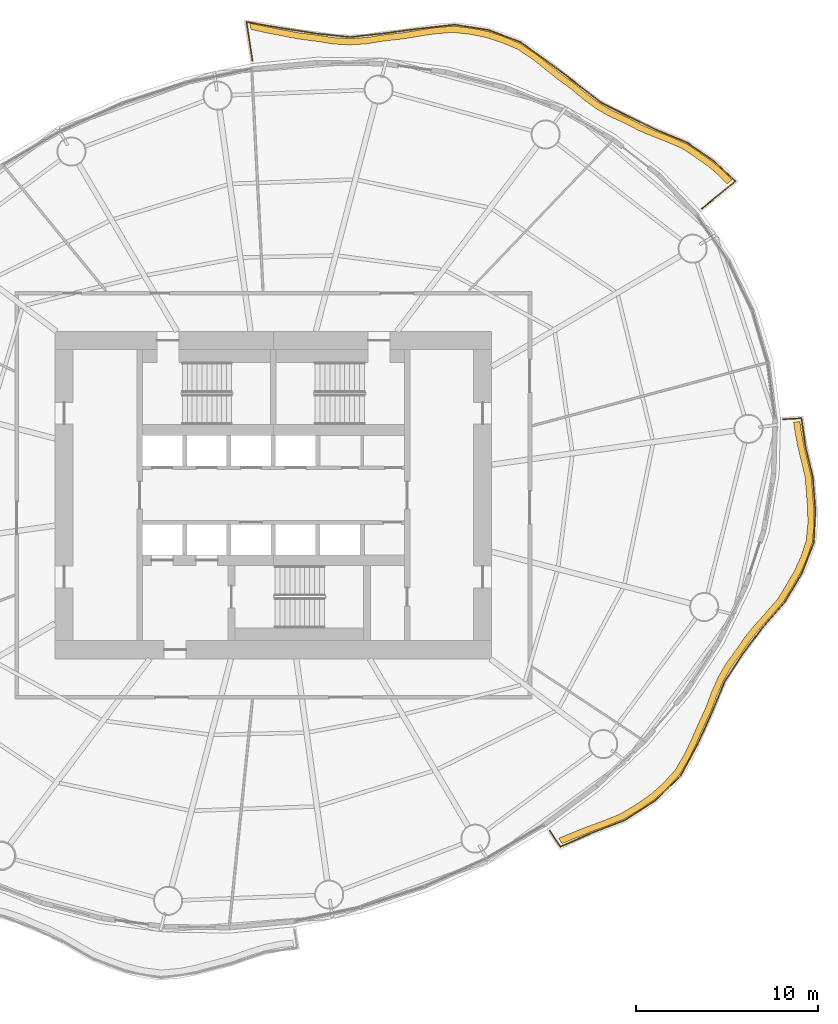
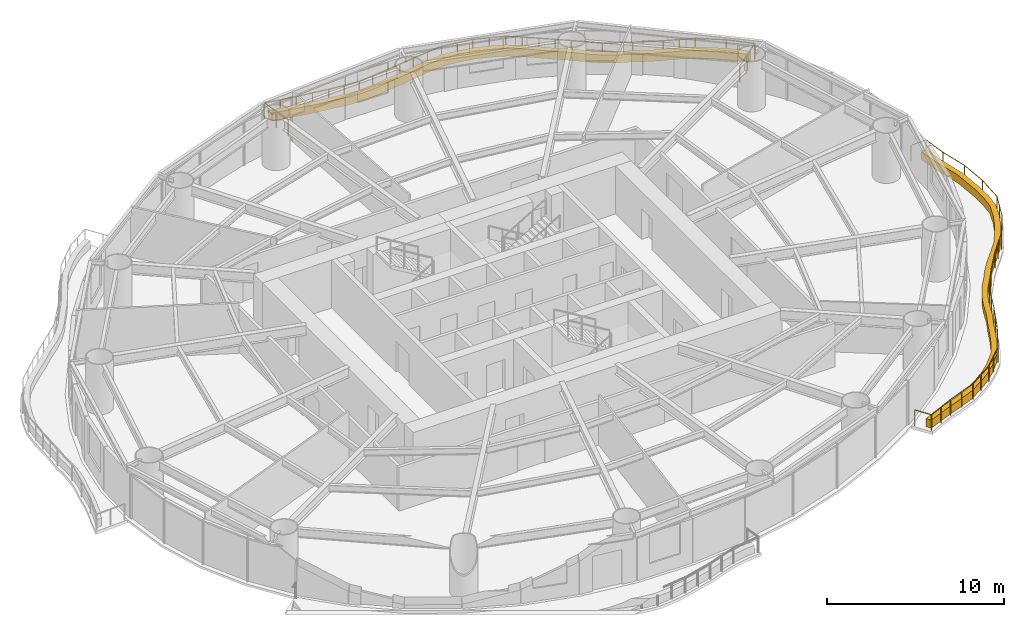
# One storey, part 14 of 14: 2 coverings, 2 railings.
"""IFC4 building model written with IfcOpenShell, lengths in metres."""

from ifc_helpers import new_model, si_unit, direction, frame, origin, origin_2d, place, context, subcontext, project, spatial, polyline, circle, outline, extrude, material, type_object, element, save


model = new_model("IFC4")

# Units and contexts
model_context = context("Model", 3, precision=1e-05, world=origin(), true_north=direction((0.0, 1.0)))
body_context = subcontext(model_context, "Body", "Model", "MODEL_VIEW")
ifc_project = project(units=[si_unit("LENGTHUNIT", "METRE"), si_unit("AREAUNIT", "SQUARE_METRE"), si_unit("VOLUMEUNIT", "CUBIC_METRE"), si_unit("PLANEANGLEUNIT", "RADIAN"), si_unit("MASSUNIT", "GRAM", prefix="KILO")], contexts=[model_context])

# Site, building, storey
site_placement = place(None, origin())
site = spatial("IfcSite", under=ifc_project, at=site_placement, CompositionType="ELEMENT")
building_placement = place(site_placement, origin())
building = spatial("IfcBuilding", under=site, at=building_placement, Name="Vermilion Reach Broadcast Tower", CompositionType="ELEMENT")
storey_placement = place(building_placement, frame((0.0, 0.0, 117.39990234375)))
storey = spatial("IfcBuildingStorey", under=building, at=storey_placement, Name="L27", CompositionType="ELEMENT", Elevation=117.39990234375)

# Coverings
ifc_material_1 = material(Name="Planting soil and greenery")
covering_type = type_object("IfcCoveringType", Name="Balcony PLANTER", PredefinedType="USERDEFINED", material=ifc_material_1)
placement = place(storey_placement, origin())
element("IfcCovering", 1, at=placement, inside=storey, type_object=covering_type, Name="PLANTER L27 group 1", ObjectType="PLANTER", PredefinedType="USERDEFINED", context=body_context, shape_type="SweptSolid", body=[
    extrude(outline(polyline([(19.206298828125, 17.331787109375), (18.73779296875, 17.81396484375), (18.1357421875, 18.322265625), (17.4833984375, 18.782470703125), (16.69140625, 19.31494140625), (15.79541015625, 19.707275390625), (15.016845703125, 20.0087890625), (14.255859375, 20.333251953125), (13.464111328125, 20.750732421875), (12.638916015625, 21.123291015625), (11.92822265625, 21.53173828125), (11.260498046875, 22.015869140625), (10.552978515625, 22.6103515625), (9.77392578125, 23.167724609375), (9.08837890625, 23.717529296875), (8.400146484375, 24.261474609375), (7.563232421875, 24.8232421875), (6.623291015625, 25.215576171875), (5.801025390625, 25.48388671875), (4.9541015625, 25.6572265625), (3.949951171875, 25.77685546875), (2.90771484375, 25.69775390625), (1.997314453125, 25.556884765625), (1.0859375, 25.409912109375), (0.10400390625, 25.305908203125), (-0.876220703125, 25.15234375), (-1.779296875, 25.093505859375), (-2.6806640625, 25.1416015625), (-3.6494140625, 25.29248046875), (-4.651611328125, 25.415771484375), (-5.58984375, 25.594482421875), (-6.52880859375, 25.779296875), (-7.287109375, 25.944580078125), (-7.234130859375, 25.5986328125), (-6.494873046875, 25.430908203125), (-5.555908203125, 25.24609375), (-4.61767578125, 25.0673828125), (-3.635009765625, 24.94287109375), (-2.68603515625, 24.79150390625), (-1.78466796875, 24.74365234375), (-0.881591796875, 24.802490234375), (0.078125, 24.956787109375), (1.039794921875, 25.06298828125), (1.950927734375, 25.2099609375), (2.861572265625, 25.350830078125), (3.882568359375, 25.433349609375), (4.865966796875, 25.318359375), (5.712890625, 25.14501953125), (6.53515625, 24.876708984375), (7.453369140625, 24.490966796875), (8.26953125, 23.936767578125), (8.95751953125, 23.392822265625), (9.643310546875, 22.843017578125), (10.400634765625, 22.295166015625), (11.087158203125, 21.711669921875), (11.7548828125, 21.227783203125), (12.465576171875, 20.8193359375), (13.26953125, 20.459716796875), (14.041259765625, 20.056884765625), (14.802001953125, 19.732421875), (15.58056640625, 19.430908203125), (16.456787109375, 19.05517578125), (17.22998046875, 18.541015625), (17.88232421875, 18.080810546875), (18.484375, 17.572509765625), (18.93505859375, 17.110595703125), (19.206298828125, 17.331787109375)])), origin(), (0.0, 0.0, 1.0), 0.550048828125),
])
element("IfcCovering", 2, at=placement, inside=storey, type_object=covering_type, Name="PLANTER L27 group 4", ObjectType="PLANTER", PredefinedType="USERDEFINED", context=body_context, shape_type="SweptSolid", body=[
    extrude(outline(polyline([(9.875732421875, -19.148681640625), (10.5185546875, -18.877197265625), (11.39697265625, -18.522216796875), (12.296875, -18.1962890625), (13.285888671875, -17.79443359375), (14.17626953125, -17.2548828125), (14.926025390625, -16.73583984375), (15.606201171875, -16.142578125), (16.315185546875, -15.376708984375), (16.847900390625, -14.488037109375), (17.240234375, -13.662353515625), (17.607421875, -12.8154296875), (18.03662109375, -11.90478515625), (18.38037109375, -10.992431640625), (18.736328125, -10.193603515625), (19.168701171875, -9.44482421875), (19.722412109375, -8.690673828125), (20.242431640625, -7.928955078125), (20.793701171875, -7.260986328125), (21.3818359375, -6.61083984375), (22.03515625, -5.845703125), (22.542236328125, -5.010498046875), (22.958740234375, -4.2841796875), (23.3046875, -3.53466796875), (23.623046875, -2.593017578125), (23.71630859375, -1.620361328125), (23.706787109375, -0.806884765625), (23.6416015625, 0.0166015625), (23.568603515625, 0.975830078125), (23.354248046875, 1.89697265625), (23.161865234375, 2.68505859375), (23.01806640625, 3.471923828125), (22.9375, 4.040283203125), (22.587890625, 4.021728515625), (22.668212890625, 3.48046875), (22.811767578125, 2.693603515625), (23.00439453125, 1.905517578125), (23.22021484375, 1.01025390625), (23.296875, 0.076904296875), (23.362060546875, -0.74658203125), (23.37158203125, -1.56005859375), (23.283447265625, -2.50830078125), (22.971923828125, -3.426025390625), (22.6259765625, -4.175537109375), (22.20947265625, -4.90185546875), (21.71044921875, -5.715087890625), (21.06689453125, -6.458251953125), (20.478759765625, -7.1083984375), (19.927490234375, -7.776611328125), (19.417724609375, -8.518310546875), (18.875732421875, -9.253173828125), (18.443359375, -10.001953125), (18.08740234375, -10.80078125), (17.755859375, -11.69580078125), (17.33984375, -12.589599609375), (16.972900390625, -13.4365234375), (16.58056640625, -14.26220703125), (16.061279296875, -15.1357421875), (15.366943359375, -15.88720703125), (14.686767578125, -16.48046875), (13.93701171875, -16.99951171875), (13.0615234375, -17.52587890625), (12.087890625, -17.91552734375), (11.18798828125, -18.241455078125), (10.3095703125, -18.596435546875), (9.682373046875, -18.85693359375), (9.875732421875, -19.148681640625)])), origin(), (0.0, 0.0, 1.0), 0.550048828125),
])

# Railings
ifc_material_2 = material(Name="Stainless steel 316 balustrade", Category="steel")
railing_type = type_object("IfcRailingType", Name="Balcony guard 1100", PredefinedType="BALUSTRADE", material=ifc_material_2)
railing_1_placement = place(storey_placement, frame((17.547607421875, 15.74755859375, 0.0)))
element("IfcRailing", 3, at=railing_1_placement, inside=storey, type_object=railing_type, Name="Balcony guard L27 group 1", PredefinedType="BALUSTRADE", context=body_context, shape_type="SweptSolid", body=[
    extrude(circle(Radius=0.02490234375, at=origin_2d()), frame((0.0, 0.0, 1.0751953125), z_axis=(0.775011733116, 0.631946843914, 0.0), x_axis=(-0.631946843914, 0.775011733116, 0.0)), (0.0, 0.0, 1.0), 2.380615234375),
    extrude(circle(Radius=0.02490234375, at=origin_2d()), frame((1.844970703125, 1.50439453125, 1.0751953125), z_axis=(-0.729097222833, 0.684410139943, 0.0), x_axis=(-0.684410139943, -0.729097222833, 0.0)), (0.0, 0.0, 1.0), 1.64453125),
    extrude(circle(Radius=0.02490234375, at=origin_2d()), frame((0.64599609375, 2.6298828125, 1.0751953125), z_axis=(-0.823778504903, 0.566911787547, 0.0), x_axis=(-0.566911787547, -0.823778504903, 0.0)), (0.0, 0.0, 1.0), 1.75830078125),
    extrude(circle(Radius=0.02490234375, at=origin_2d()), frame((-0.802490234375, 3.626708984375, 1.0751953125), z_axis=(-0.923449877766, 0.383719068138, 0.0), x_axis=(-0.383719068138, -0.923449877766, 0.0)), (0.0, 0.0, 1.0), 1.818359375),
    extrude(circle(Radius=0.02490234375, at=origin_2d()), frame((-2.481689453125, 4.324462890625, 1.0751953125), z_axis=(-0.902069596938, 0.431590595682, 0.0), x_axis=(-0.431590595682, -0.902069596938, 0.0)), (0.0, 0.0, 1.0), 1.7265625),
    extrude(circle(Radius=0.02490234375, at=origin_2d()), frame((-4.0390625, 5.069580078125, 1.0751953125), z_axis=(-0.891212938014, 0.453585161924, 0.0), x_axis=(-0.453585161924, -0.891212938014, 0.0)), (0.0, 0.0, 1.0), 1.728759765625),
    extrude(circle(Radius=0.02490234375, at=origin_2d()), frame((-5.579833984375, 5.853759765625, 1.0751953125), z_axis=(-0.787240447544, 0.61664615279, 0.0), x_axis=(-0.61664615279, -0.787240447544, 0.0)), (0.0, 0.0, 1.0), 1.753173828125),
    extrude(circle(Radius=0.02490234375, at=origin_2d()), frame((-6.9599609375, 6.934814453125, 1.0751953125), z_axis=(-0.798102528355, 0.602521662875, 0.0), x_axis=(-0.602521662875, -0.798102528355, 0.0)), (0.0, 0.0, 1.0), 1.84130859375),
    extrude(circle(Radius=0.02490234375, at=origin_2d()), frame((-8.429443359375, 8.044189453125, 1.0751953125), z_axis=(-0.810075495001, 0.586325585659, 0.0), x_axis=(-0.586325585659, -0.810075495001, 0.0)), (0.0, 0.0, 1.0), 1.888671875),
    extrude(circle(Radius=0.02490234375, at=origin_2d()), frame((-9.95947265625, 9.151611328125, 1.0751953125), z_axis=(-0.936408915518, 0.350910733575, 0.0), x_axis=(-0.350910733575, -0.936408915518, 0.0)), (0.0, 0.0, 1.0), 1.88671875),
    extrude(circle(Radius=0.02490234375, at=origin_2d()), frame((-11.726318359375, 9.813720703125, 1.0751953125), z_axis=(-0.987669032145, 0.156556325143, 0.0), x_axis=(-0.156556325143, -0.987669032145, 0.0)), (0.0, 0.0, 1.0), 1.879150390625),
    extrude(circle(Radius=0.02490234375, at=origin_2d()), frame((-13.582275390625, 10.10791015625, 1.0751953125), z_axis=(-0.993786616206, -0.111302117904, 0.0), x_axis=(0.111302117904, -0.993786616206, 0.0)), (0.0, 0.0, 1.0), 1.9697265625),
    extrude(circle(Radius=0.02490234375, at=origin_2d()), frame((-15.539794921875, 9.888671875, 1.0751953125), z_axis=(-0.991402999557, -0.13084377123, 0.0), x_axis=(0.13084377123, -0.991402999557, 0.0)), (0.0, 0.0, 1.0), 1.914306640625),
    extrude(circle(Radius=0.02490234375, at=origin_2d()), frame((-17.437744140625, 9.63818359375, 1.0751953125), z_axis=(-0.993745049647, -0.111672630046, 0.0), x_axis=(0.111672630046, -0.993745049647, 0.0)), (0.0, 0.0, 1.0), 1.89990234375),
    extrude(circle(Radius=0.02490234375, at=origin_2d()), frame((-19.32568359375, 9.426025390625, 1.0751953125), z_axis=(-0.994427111711, 0.10542637001, 0.0), x_axis=(-0.10542637001, -0.994427111711, 0.0)), (0.0, 0.0, 1.0), 1.885009765625),
    extrude(circle(Radius=0.02490234375, at=origin_2d()), frame((-21.2001953125, 9.624755859375, 1.0751953125), z_axis=(-0.988178763411, 0.153306006223, 0.0), x_axis=(-0.153306006223, -0.988178763411, 0.0)), (0.0, 0.0, 1.0), 1.96826171875),
    extrude(circle(Radius=0.02490234375, at=origin_2d()), frame((-23.145263671875, 9.926513671875, 1.0751953125), z_axis=(-0.984751371629, 0.173967629386, 0.0), x_axis=(-0.173967629386, -0.984751371629, 0.0)), (0.0, 0.0, 1.0), 1.909912109375),
    extrude(circle(Radius=0.02490234375, at=origin_2d()), frame((-25.026123046875, 10.2587890625, 1.0751953125), z_axis=(0.151615051128, -0.988439616907, 0.0), x_axis=(0.988439616907, 0.151615051128, 0.0)), (0.0, 0.0, 1.0), 2.15771484375),
    extrude(circle(Radius=0.02490234375, at=origin_2d()), origin(), (0.0, 0.0, 1.0), 1.050048828125),
    extrude(circle(Radius=0.02490234375, at=origin_2d()), frame((0.92236328125, 0.752197265625, 0.0)), (0.0, 0.0, 1.0), 1.050048828125),
    extrude(circle(Radius=0.02490234375, at=origin_2d()), frame((1.844970703125, 1.50439453125, 0.0)), (0.0, 0.0, 1.0), 1.050048828125),
    extrude(circle(Radius=0.02490234375, at=origin_2d()), frame((0.64599609375, 2.6298828125, 0.0)), (0.0, 0.0, 1.0), 1.050048828125),
    extrude(circle(Radius=0.02490234375, at=origin_2d()), frame((-0.802490234375, 3.626708984375, 0.0)), (0.0, 0.0, 1.0), 1.050048828125),
    extrude(circle(Radius=0.02490234375, at=origin_2d()), frame((-1.64208984375, 3.9755859375, 0.0)), (0.0, 0.0, 1.0), 1.050048828125),
    extrude(circle(Radius=0.02490234375, at=origin_2d()), frame((-2.481689453125, 4.324462890625, 0.0)), (0.0, 0.0, 1.0), 1.050048828125),
    extrude(circle(Radius=0.02490234375, at=origin_2d()), frame((-4.0390625, 5.069580078125, 0.0)), (0.0, 0.0, 1.0), 1.050048828125),
    extrude(circle(Radius=0.02490234375, at=origin_2d()), frame((-5.579833984375, 5.853759765625, 0.0)), (0.0, 0.0, 1.0), 1.050048828125),
    extrude(circle(Radius=0.02490234375, at=origin_2d()), frame((-6.9599609375, 6.934814453125, 0.0)), (0.0, 0.0, 1.0), 1.050048828125),
    extrude(circle(Radius=0.02490234375, at=origin_2d()), frame((-7.69482421875, 7.489501953125, 0.0)), (0.0, 0.0, 1.0), 1.050048828125),
    extrude(circle(Radius=0.02490234375, at=origin_2d()), frame((-8.429443359375, 8.044189453125, 0.0)), (0.0, 0.0, 1.0), 1.050048828125),
    extrude(circle(Radius=0.02490234375, at=origin_2d()), frame((-9.1943359375, 8.597900390625, 0.0)), (0.0, 0.0, 1.0), 1.050048828125),
    extrude(circle(Radius=0.02490234375, at=origin_2d()), frame((-9.95947265625, 9.151611328125, 0.0)), (0.0, 0.0, 1.0), 1.050048828125),
    extrude(circle(Radius=0.02490234375, at=origin_2d()), frame((-10.8427734375, 9.482666015625, 0.0)), (0.0, 0.0, 1.0), 1.050048828125),
    extrude(circle(Radius=0.02490234375, at=origin_2d()), frame((-11.726318359375, 9.813720703125, 0.0)), (0.0, 0.0, 1.0), 1.050048828125),
    extrude(circle(Radius=0.02490234375, at=origin_2d()), frame((-12.654296875, 9.9609375, 0.0)), (0.0, 0.0, 1.0), 1.050048828125),
    extrude(circle(Radius=0.02490234375, at=origin_2d()), frame((-13.582275390625, 10.10791015625, 0.0)), (0.0, 0.0, 1.0), 1.050048828125),
    extrude(circle(Radius=0.02490234375, at=origin_2d()), frame((-14.56103515625, 9.998291015625, 0.0)), (0.0, 0.0, 1.0), 1.050048828125),
    extrude(circle(Radius=0.02490234375, at=origin_2d()), frame((-15.539794921875, 9.888671875, 0.0)), (0.0, 0.0, 1.0), 1.050048828125),
    extrude(circle(Radius=0.02490234375, at=origin_2d()), frame((-16.48876953125, 9.763427734375, 0.0)), (0.0, 0.0, 1.0), 1.050048828125),
    extrude(circle(Radius=0.02490234375, at=origin_2d()), frame((-17.437744140625, 9.63818359375, 0.0)), (0.0, 0.0, 1.0), 1.050048828125),
    extrude(circle(Radius=0.02490234375, at=origin_2d()), frame((-18.3818359375, 9.5322265625, 0.0)), (0.0, 0.0, 1.0), 1.050048828125),
    extrude(circle(Radius=0.02490234375, at=origin_2d()), frame((-19.32568359375, 9.426025390625, 0.0)), (0.0, 0.0, 1.0), 1.050048828125),
    extrude(circle(Radius=0.02490234375, at=origin_2d()), frame((-20.262939453125, 9.525390625, 0.0)), (0.0, 0.0, 1.0), 1.050048828125),
    extrude(circle(Radius=0.02490234375, at=origin_2d()), frame((-21.2001953125, 9.624755859375, 0.0)), (0.0, 0.0, 1.0), 1.050048828125),
    extrude(circle(Radius=0.02490234375, at=origin_2d()), frame((-22.1728515625, 9.775634765625, 0.0)), (0.0, 0.0, 1.0), 1.050048828125),
    extrude(circle(Radius=0.02490234375, at=origin_2d()), frame((-23.145263671875, 9.926513671875, 0.0)), (0.0, 0.0, 1.0), 1.050048828125),
    extrude(circle(Radius=0.02490234375, at=origin_2d()), frame((-24.085693359375, 10.0927734375, 0.0)), (0.0, 0.0, 1.0), 1.050048828125),
    extrude(circle(Radius=0.02490234375, at=origin_2d()), frame((-25.026123046875, 10.2587890625, 0.0)), (0.0, 0.0, 1.0), 1.050048828125),
    extrude(circle(Radius=0.02490234375, at=origin_2d()), frame((-24.862548828125, 9.1923828125, 0.0)), (0.0, 0.0, 1.0), 1.050048828125),
    extrude(circle(Radius=0.02490234375, at=origin_2d()), frame((-24.698974609375, 8.1259765625, 0.0)), (0.0, 0.0, 1.0), 1.050048828125),
])
railing_2_placement = place(storey_placement, frame((9.1962890625, -18.448486328125, 0.0)))
element("IfcRailing", 4, at=railing_2_placement, inside=storey, type_object=railing_type, Name="Balcony guard L27 group 4", PredefinedType="BALUSTRADE", context=body_context, shape_type="SweptSolid", body=[
    extrude(circle(Radius=0.02490234375, at=origin_2d()), frame((0.0, 0.0, 1.0751953125), z_axis=(0.552280989007, -0.833658028919, 0.0), x_axis=(0.833658028919, 0.552280989007, 0.0)), (0.0, 0.0, 1.0), 1.049072265625),
    extrude(circle(Radius=0.02490234375, at=origin_2d()), frame((0.579345703125, -0.87451171875, 1.0751953125), z_axis=(0.914884369231, 0.403715978056, 0.0), x_axis=(-0.403715978056, 0.914884369231, 0.0)), (0.0, 0.0, 1.0), 1.824462890625),
    extrude(circle(Radius=0.02490234375, at=origin_2d()), frame((2.24853515625, -0.137939453125, 1.0751953125), z_axis=(0.932907524006, 0.360116025265, 0.0), x_axis=(-0.360116025265, 0.932907524006, 0.0)), (0.0, 0.0, 1.0), 2.0283203125),
    extrude(circle(Radius=0.02490234375, at=origin_2d()), frame((4.140869140625, 0.592529296875, 1.0751953125), z_axis=(0.839968290375, 0.542635486459, 0.0), x_axis=(-0.542635486459, 0.839968290375, 0.0)), (0.0, 0.0, 1.0), 1.956787109375),
    extrude(circle(Radius=0.02490234375, at=origin_2d()), frame((5.784423828125, 1.654296875, 1.0751953125), z_axis=(0.714772733576, 0.699356804025, 0.0), x_axis=(-0.699356804025, 0.714772733576, 0.0)), (0.0, 0.0, 1.0), 1.947998046875),
    extrude(circle(Radius=0.02490234375, at=origin_2d()), frame((7.1767578125, 3.0166015625, 1.0751953125), z_axis=(0.47534443581, 0.879799788216, 0.0), x_axis=(-0.879799788216, 0.47534443581, 0.0)), (0.0, 0.0, 1.0), 1.95263671875),
    extrude(circle(Radius=0.02490234375, at=origin_2d()), frame((8.10498046875, 4.734619140625, 1.0751953125), z_axis=(0.413374956297, 0.9105608961, 0.0), x_axis=(-0.9105608961, 0.413374956297, 0.0)), (0.0, 0.0, 1.0), 1.934326171875),
    extrude(circle(Radius=0.02490234375, at=origin_2d()), frame((8.904541015625, 6.495849609375, 1.0751953125), z_axis=(0.378940545484, 0.925421019314, 0.0), x_axis=(-0.925421019314, 0.378940545484, 0.0)), (0.0, 0.0, 1.0), 1.853515625),
    extrude(circle(Radius=0.02490234375, at=origin_2d()), frame((9.60693359375, 8.211181640625, 1.0751953125), z_axis=(0.548496687271, 0.836152727707, 0.0), x_axis=(-0.836152727707, 0.548496687271, 0.0)), (0.0, 0.0, 1.0), 1.802734375),
    extrude(circle(Radius=0.02490234375, at=origin_2d()), frame((10.595703125, 9.718505859375, 1.0751953125), z_axis=(0.59928029398, 0.800539274019, 0.0), x_axis=(-0.800539274019, 0.59928029398, 0.0)), (0.0, 0.0, 1.0), 1.791748046875),
    extrude(circle(Radius=0.02490234375, at=origin_2d()), frame((11.66943359375, 11.15283203125, 1.0751953125), z_axis=(0.658870809586, 0.752256110827, 0.0), x_axis=(-0.752256110827, 0.658870809586, 0.0)), (0.0, 0.0, 1.0), 1.887451171875),
    extrude(circle(Radius=0.02490234375, at=origin_2d()), frame((12.9130859375, 12.57275390625, 1.0751953125), z_axis=(0.508584671426, 0.861011981328, 0.0), x_axis=(-0.861011981328, 0.508584671426, 0.0)), (0.0, 0.0, 1.0), 1.81982421875),
    extrude(circle(Radius=0.02490234375, at=origin_2d()), frame((13.838623046875, 14.1396484375, 1.0751953125), z_axis=(0.365308344631, 0.930886573833, 0.0), x_axis=(-0.930886573833, 0.365308344631, 0.0)), (0.0, 0.0, 1.0), 1.822509765625),
    extrude(circle(Radius=0.02490234375, at=origin_2d()), frame((14.50439453125, 15.836181640625, 1.0751953125), z_axis=(0.0473646855, 0.998877663464, 0.0), x_axis=(-0.998877663464, 0.0473646855, 0.0)), (0.0, 0.0, 1.0), 1.793701171875),
    extrude(circle(Radius=0.02490234375, at=origin_2d()), frame((14.58935546875, 17.6279296875, 1.0751953125), z_axis=(-0.076623645773, 0.99706008691, 0.0), x_axis=(-0.99706008691, -0.076623645773, 0.0)), (0.0, 0.0, 1.0), 1.7939453125),
    extrude(circle(Radius=0.02490234375, at=origin_2d()), frame((14.451904296875, 19.41650390625, 1.0751953125), z_axis=(-0.23062169551, 0.973043490066, 0.0), x_axis=(-0.973043490066, -0.23062169551, 0.0)), (0.0, 0.0, 1.0), 1.7626953125),
    extrude(circle(Radius=0.02490234375, at=origin_2d()), frame((14.04541015625, 21.131591796875, 1.0751953125), z_axis=(-0.141289631023, 0.989968302606, 0.0), x_axis=(-0.989968302606, -0.141289631023, 0.0)), (0.0, 0.0, 1.0), 1.556884765625),
    extrude(circle(Radius=0.02490234375, at=origin_2d()), frame((13.825439453125, 22.6728515625, 1.0751953125), z_axis=(-0.998593537618, -0.053018361228, 0.0), x_axis=(0.053018361228, -0.998593537618, 0.0)), (0.0, 0.0, 1.0), 1.00390625),
    extrude(circle(Radius=0.02490234375, at=origin_2d()), origin(), (0.0, 0.0, 1.0), 1.050048828125),
    extrude(circle(Radius=0.02490234375, at=origin_2d()), frame((0.579345703125, -0.87451171875, 0.0)), (0.0, 0.0, 1.0), 1.050048828125),
    extrude(circle(Radius=0.02490234375, at=origin_2d()), frame((1.4140625, -0.50634765625, 0.0)), (0.0, 0.0, 1.0), 1.050048828125),
    extrude(circle(Radius=0.02490234375, at=origin_2d()), frame((2.24853515625, -0.137939453125, 0.0)), (0.0, 0.0, 1.0), 1.050048828125),
    extrude(circle(Radius=0.02490234375, at=origin_2d()), frame((3.19482421875, 0.227294921875, 0.0)), (0.0, 0.0, 1.0), 1.050048828125),
    extrude(circle(Radius=0.02490234375, at=origin_2d()), frame((4.140869140625, 0.592529296875, 0.0)), (0.0, 0.0, 1.0), 1.050048828125),
    extrude(circle(Radius=0.02490234375, at=origin_2d()), frame((4.962646484375, 1.12353515625, 0.0)), (0.0, 0.0, 1.0), 1.050048828125),
    extrude(circle(Radius=0.02490234375, at=origin_2d()), frame((5.784423828125, 1.654296875, 0.0)), (0.0, 0.0, 1.0), 1.050048828125),
    extrude(circle(Radius=0.02490234375, at=origin_2d()), frame((6.48046875, 2.33544921875, 0.0)), (0.0, 0.0, 1.0), 1.050048828125),
    extrude(circle(Radius=0.02490234375, at=origin_2d()), frame((7.1767578125, 3.0166015625, 0.0)), (0.0, 0.0, 1.0), 1.050048828125),
    extrude(circle(Radius=0.02490234375, at=origin_2d()), frame((7.640869140625, 3.87548828125, 0.0)), (0.0, 0.0, 1.0), 1.050048828125),
    extrude(circle(Radius=0.02490234375, at=origin_2d()), frame((8.10498046875, 4.734619140625, 0.0)), (0.0, 0.0, 1.0), 1.050048828125),
    extrude(circle(Radius=0.02490234375, at=origin_2d()), frame((8.5048828125, 5.615234375, 0.0)), (0.0, 0.0, 1.0), 1.050048828125),
    extrude(circle(Radius=0.02490234375, at=origin_2d()), frame((8.904541015625, 6.495849609375, 0.0)), (0.0, 0.0, 1.0), 1.050048828125),
    extrude(circle(Radius=0.02490234375, at=origin_2d()), frame((9.255859375, 7.353515625, 0.0)), (0.0, 0.0, 1.0), 1.050048828125),
    extrude(circle(Radius=0.02490234375, at=origin_2d()), frame((9.60693359375, 8.211181640625, 0.0)), (0.0, 0.0, 1.0), 1.050048828125),
    extrude(circle(Radius=0.02490234375, at=origin_2d()), frame((10.101318359375, 8.96484375, 0.0)), (0.0, 0.0, 1.0), 1.050048828125),
    extrude(circle(Radius=0.02490234375, at=origin_2d()), frame((10.595703125, 9.718505859375, 0.0)), (0.0, 0.0, 1.0), 1.050048828125),
    extrude(circle(Radius=0.02490234375, at=origin_2d()), frame((11.66943359375, 11.15283203125, 0.0)), (0.0, 0.0, 1.0), 1.050048828125),
    extrude(circle(Radius=0.02490234375, at=origin_2d()), frame((12.291259765625, 11.86279296875, 0.0)), (0.0, 0.0, 1.0), 1.050048828125),
    extrude(circle(Radius=0.02490234375, at=origin_2d()), frame((12.9130859375, 12.57275390625, 0.0)), (0.0, 0.0, 1.0), 1.050048828125),
    extrude(circle(Radius=0.02490234375, at=origin_2d()), frame((13.3759765625, 13.356201171875, 0.0)), (0.0, 0.0, 1.0), 1.050048828125),
    extrude(circle(Radius=0.02490234375, at=origin_2d()), frame((13.838623046875, 14.1396484375, 0.0)), (0.0, 0.0, 1.0), 1.050048828125),
    extrude(circle(Radius=0.02490234375, at=origin_2d()), frame((14.17138671875, 14.98779296875, 0.0)), (0.0, 0.0, 1.0), 1.050048828125),
    extrude(circle(Radius=0.02490234375, at=origin_2d()), frame((14.50439453125, 15.836181640625, 0.0)), (0.0, 0.0, 1.0), 1.050048828125),
    extrude(circle(Radius=0.02490234375, at=origin_2d()), frame((14.58935546875, 17.6279296875, 0.0)), (0.0, 0.0, 1.0), 1.050048828125),
    extrude(circle(Radius=0.02490234375, at=origin_2d()), frame((14.451904296875, 19.41650390625, 0.0)), (0.0, 0.0, 1.0), 1.050048828125),
    extrude(circle(Radius=0.02490234375, at=origin_2d()), frame((14.04541015625, 21.131591796875, 0.0)), (0.0, 0.0, 1.0), 1.050048828125),
    extrude(circle(Radius=0.02490234375, at=origin_2d()), frame((13.825439453125, 22.6728515625, 0.0)), (0.0, 0.0, 1.0), 1.050048828125),
    extrude(circle(Radius=0.02490234375, at=origin_2d()), frame((12.822998046875, 22.61962890625, 0.0)), (0.0, 0.0, 1.0), 1.050048828125),
])

save(model, "model.ifc")
